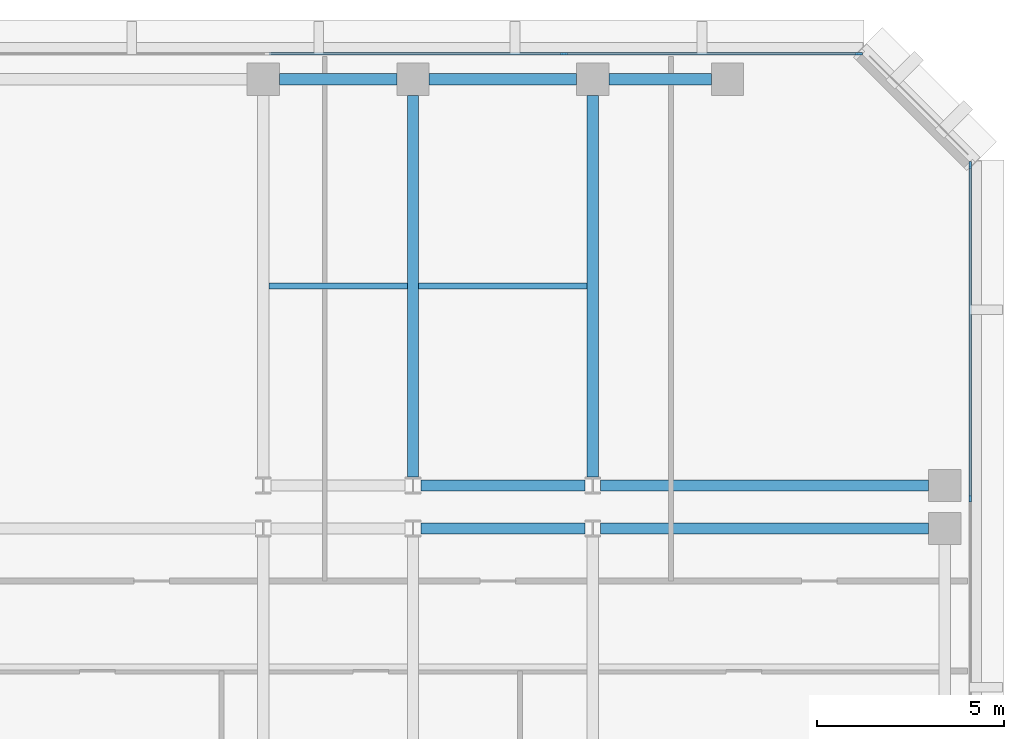
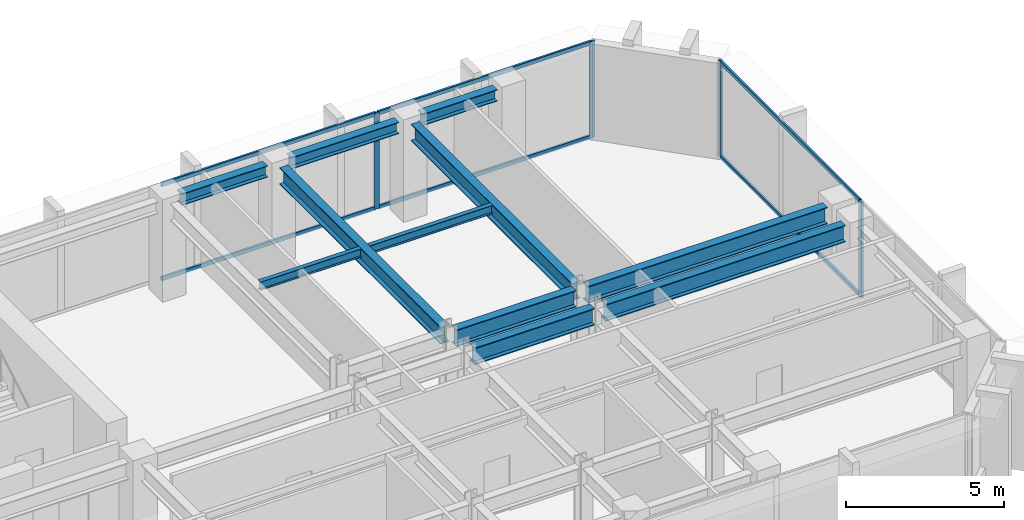
# One storey, part 5 of 12: 11 beams, 10 members, 2 elements without a shape of their own.
"""IFC4 building model written with IfcOpenShell, lengths in metres."""

from ifc_helpers import new_model, si_unit, direction, frame, origin, origin_2d, place, context, subcontext, project, spatial, rectangle, i_section, extrude, material, layer, layer_set, material_profile, profile_set, type_object, element, aggregate, save


model = new_model("IFC4")

# Units and contexts
model_context = context("Model", 3, precision=1e-05, world=origin(), true_north=direction((0.0, 1.0)))
body_context = subcontext(model_context, "Body", "Model", "MODEL_VIEW")
ifc_project = project(units=[si_unit("LENGTHUNIT", "METRE"), si_unit("AREAUNIT", "SQUARE_METRE"), si_unit("VOLUMEUNIT", "CUBIC_METRE"), si_unit("PLANEANGLEUNIT", "RADIAN"), si_unit("MASSUNIT", "GRAM", prefix="KILO")], contexts=[model_context])

# Site, building, storey
site_placement = place(None, origin())
site = spatial("IfcSite", under=ifc_project, at=site_placement, CompositionType="ELEMENT")
building_placement = place(site_placement, origin())
building = spatial("IfcBuilding", under=site, at=building_placement, Name="Kefirva Bronze Tower", CompositionType="ELEMENT")
storey_placement = place(building_placement, frame((0.0, 0.0, 126.389892578125)))
storey = spatial("IfcBuildingStorey", under=building, at=storey_placement, Name="L30", CompositionType="ELEMENT", Elevation=126.389892578125)

# Curtain wall, members
ifc_material_1 = material(Name="Bronze anodised aluminium", Category="aluminium")
ifc_layer = layer(ifc_material_1, 0.199951171875, Name="Bronze anodised aluminium")
ifc_layer_set = layer_set([ifc_layer], Name="Bronze anodised aluminium")
curtain_wall_type = type_object("IfcCurtainWallType", Name="Unitised Bronze Ribbon Curtain Wall Zone 2", PredefinedType="USERDEFINED", material=ifc_layer_set)
curtain_wall_1_placement = place(storey_placement, origin())
curtain_wall_1 = element("IfcCurtainWall", 1, at=curtain_wall_1_placement, inside=storey, type_object=curtain_wall_type, Name="L30 Curtain Wall 4", ObjectType="UNITISED CURTAIN WALL", PredefinedType="USERDEFINED")
ifc_material_profile_1 = material_profile(ifc_material_1, rectangle(XDim=0.074951171875, YDim=0.179931640625, at=origin_2d()), Name="ALU 75x180")
ifc_profile_set_1 = profile_set([ifc_material_profile_1], Name="Bronze anodised aluminium")
member_type_1 = type_object("IfcMemberType", Name="Bronze Mullion 75x180", PredefinedType="MULLION", material=ifc_profile_set_1)
member_1_placement = place(storey_placement, frame((50.080078125, 34.0, 0.0), z_axis=(0.0, 0.0, 1.0), x_axis=(-1.0, 0.0, 0.0)))
member_1 = element("IfcMember", 2, at=member_1_placement, type_object=member_type_1, Name="CW-02 mullion 2", PredefinedType="MULLION", context=body_context, shape_type="SweptSolid", body=[
    extrude(rectangle(XDim=0.074951171875, YDim=0.179931640625, at=origin_2d()), origin(), (0.0, 0.0, 1.0), 3.710205078125),
])
member_2_placement = place(storey_placement, frame((50.080078125, 42.907470703125, 0.0), z_axis=(0.0, 0.0, 1.0), x_axis=(-1.0, 0.0, 0.0)))
member_2 = element("IfcMember", 3, at=member_2_placement, type_object=member_type_1, Name="CW-02 mullion 3", PredefinedType="MULLION", context=body_context, shape_type="SweptSolid", body=[
    extrude(rectangle(XDim=0.074951171875, YDim=0.179931640625, at=origin_2d()), origin(), (0.0, 0.0, 1.0), 3.710205078125),
])

curtain_wall_2_placement = place(storey_placement, origin())
curtain_wall_2 = element("IfcCurtainWall", 4, at=curtain_wall_2_placement, inside=storey, type_object=curtain_wall_type, Name="L30 Curtain Wall 5", ObjectType="UNITISED CURTAIN WALL", PredefinedType="USERDEFINED")
member_3_placement = place(storey_placement, frame((47.107421875, 45.8798828125, 0.0), z_axis=(0.0, 0.0, 1.0), x_axis=(0.0, -1.0, 0.0)))
member_3 = element("IfcMember", 5, at=member_3_placement, type_object=member_type_1, Name="CW-02 mullion 1", PredefinedType="MULLION", context=body_context, shape_type="SweptSolid", body=[
    extrude(rectangle(XDim=0.074951171875, YDim=0.179931640625, at=origin_2d()), origin(), (0.0, 0.0, 1.0), 3.710205078125),
])
member_4_placement = place(storey_placement, frame((39.231689453125, 45.8798828125, 0.0), z_axis=(0.0, 0.0, 1.0), x_axis=(0.0, -1.0, 0.0)))
member_4 = element("IfcMember", 6, at=member_4_placement, type_object=member_type_1, Name="CW-02 mullion 2", PredefinedType="MULLION", context=body_context, shape_type="SweptSolid", body=[
    extrude(rectangle(XDim=0.074951171875, YDim=0.179931640625, at=origin_2d()), origin(), (0.0, 0.0, 1.0), 3.710205078125),
])

# Member
ifc_material_profile_2 = material_profile(ifc_material_1, rectangle(XDim=0.074951171875, YDim=0.14990234375, at=origin_2d()), Name="ALU 75x150")
ifc_profile_set_2 = profile_set([ifc_material_profile_2], Name="Bronze anodised aluminium")
member_type_2 = type_object("IfcMemberType", Name="Bronze Transom 75x150", PredefinedType="USERDEFINED", material=ifc_profile_set_2)
member_5_placement = place(storey_placement, frame((50.080078125, 34.03759765625, 0.03759765625), z_axis=(0.0, 1.0, 0.0), x_axis=(-1.0, 0.0, 0.0)))
member_5 = element("IfcMember", 7, at=member_5_placement, type_object=member_type_2, Name="CW-02 transom 2.1", ObjectType="TRANSOM", PredefinedType="USERDEFINED", context=body_context, shape_type="SweptSolid", body=[
    extrude(rectangle(XDim=0.074951171875, YDim=0.14990234375, at=origin_2d()), origin(), (0.0, 0.0, 1.0), 8.83251953125),
])

member_6_placement = place(storey_placement, frame((50.080078125, 34.03759765625, 3.672607421875), z_axis=(0.0, 1.0, 0.0), x_axis=(-1.0, 0.0, 0.0)))
member_6 = element("IfcMember", 8, at=member_6_placement, type_object=member_type_2, Name="CW-02 transom 2.2", ObjectType="TRANSOM", PredefinedType="USERDEFINED", context=body_context, shape_type="SweptSolid", body=[
    extrude(rectangle(XDim=0.074951171875, YDim=0.14990234375, at=origin_2d()), origin(), (0.0, 0.0, 1.0), 8.83251953125),
])

aggregate(curtain_wall_1, [member_1, member_2, member_5, member_6])

member_7_placement = place(storey_placement, frame((47.070068359375, 45.8798828125, 0.03759765625), z_axis=(-1.0, 0.0, 0.0), x_axis=(0.0, -1.0, 0.0)))
member_7 = element("IfcMember", 9, at=member_7_placement, type_object=member_type_2, Name="CW-02 transom 1.1", ObjectType="TRANSOM", PredefinedType="USERDEFINED", context=body_context, shape_type="SweptSolid", body=[
    extrude(rectangle(XDim=0.074951171875, YDim=0.14990234375, at=origin_2d()), origin(), (0.0, 0.0, 1.0), 7.80078125),
])

member_8_placement = place(storey_placement, frame((47.070068359375, 45.8798828125, 3.672607421875), z_axis=(-1.0, 0.0, 0.0), x_axis=(0.0, -1.0, 0.0)))
member_8 = element("IfcMember", 10, at=member_8_placement, type_object=member_type_2, Name="CW-02 transom 1.2", ObjectType="TRANSOM", PredefinedType="USERDEFINED", context=body_context, shape_type="SweptSolid", body=[
    extrude(rectangle(XDim=0.074951171875, YDim=0.14990234375, at=origin_2d()), origin(), (0.0, 0.0, 1.0), 7.80078125),
])

member_9_placement = place(storey_placement, frame((39.194091796875, 45.8798828125, 0.03759765625), z_axis=(-1.0, 0.0, 0.0), x_axis=(0.0, -1.0, 0.0)))
member_9 = element("IfcMember", 11, at=member_9_placement, type_object=member_type_2, Name="CW-02 transom 2.1", ObjectType="TRANSOM", PredefinedType="USERDEFINED", context=body_context, shape_type="SweptSolid", body=[
    extrude(rectangle(XDim=0.074951171875, YDim=0.14990234375, at=origin_2d()), origin(), (0.0, 0.0, 1.0), 7.83837890625),
])

member_10_placement = place(storey_placement, frame((39.194091796875, 45.8798828125, 3.672607421875), z_axis=(-1.0, 0.0, 0.0), x_axis=(0.0, -1.0, 0.0)))
member_10 = element("IfcMember", 12, at=member_10_placement, type_object=member_type_2, Name="CW-02 transom 2.2", ObjectType="TRANSOM", PredefinedType="USERDEFINED", context=body_context, shape_type="SweptSolid", body=[
    extrude(rectangle(XDim=0.074951171875, YDim=0.14990234375, at=origin_2d()), origin(), (0.0, 0.0, 1.0), 7.83837890625),
])

aggregate(curtain_wall_2, [member_3, member_4, member_7, member_8, member_9, member_10])

# Beams
ifc_material_2 = material(Name="Steel S355", Category="steel")
ifc_material_profile_3 = material_profile(ifc_material_2, i_section(OverallWidth=0.159912109375, OverallDepth=0.330078125, WebThickness=0.007568359375, FlangeThickness=0.011474609375, at=origin_2d()), Name="IPE 330")
ifc_profile_set_3 = profile_set([ifc_material_profile_3], Name="Steel S355")
beam_type_1 = type_object("IfcBeamType", Name="Steel Floor Joist IPE 330", PredefinedType="JOIST", material=ifc_profile_set_3)
beam_1_placement = place(storey_placement, frame((31.35009765625, 39.673583984375, 3.545166015625), z_axis=(1.0, 0.0, 0.0), x_axis=(0.0, 1.0, 0.0)))
element("IfcBeam", 13, at=beam_1_placement, inside=storey, type_object=beam_type_1, Name="L30 JST-L30-31-396", PredefinedType="JOIST", context=body_context, shape_type="SweptSolid", body=[
    extrude(i_section(OverallWidth=0.159912109375, OverallDepth=0.330078125, WebThickness=0.007568359375, FlangeThickness=0.011474609375, at=origin_2d()), origin(), (0.0, 0.0, 1.0), 3.699951171875),
])
beam_2_placement = place(storey_placement, frame((35.35009765625, 39.673583984375, 3.545166015625), z_axis=(1.0, 0.0, 0.0), x_axis=(0.0, 1.0, 0.0)))
element("IfcBeam", 14, at=beam_2_placement, inside=storey, type_object=beam_type_1, Name="L30 JST-L30-35-396", PredefinedType="JOIST", context=body_context, shape_type="SweptSolid", body=[
    extrude(i_section(OverallWidth=0.159912109375, OverallDepth=0.330078125, WebThickness=0.007568359375, FlangeThickness=0.011474609375, at=origin_2d()), origin(), (0.0, 0.0, 1.0), 4.5),
])
ifc_material_profile_4 = material_profile(ifc_material_2, i_section(OverallWidth=0.300048828125, OverallDepth=0.64990234375, WebThickness=0.01611328125, FlangeThickness=0.031005859375, at=origin_2d()), Name="HEB 650")
ifc_profile_set_4 = profile_set([ifc_material_profile_4], Name="Steel S355")
beam_type_2 = type_object("IfcBeamType", Name="Steel Girder HEB 650", PredefinedType="USERDEFINED", material=ifc_profile_set_4)
beam_3_placement = place(storey_placement, frame((35.408935546875, 33.199951171875, 3.385009765625), z_axis=(1.0, 0.0, 0.0), x_axis=(0.0, 1.0, 0.0)))
element("IfcBeam", 15, at=beam_3_placement, inside=storey, type_object=beam_type_2, Name="L30 BM-L30-EW-35-332", ObjectType="GIRDER", PredefinedType="USERDEFINED", context=body_context, shape_type="SweptSolid", body=[
    extrude(i_section(OverallWidth=0.300048828125, OverallDepth=0.64990234375, WebThickness=0.01611328125, FlangeThickness=0.031005859375, at=origin_2d()), origin(), (0.0, 0.0, 1.0), 4.382080078125),
])
beam_4_placement = place(storey_placement, frame((40.208984375, 33.199951171875, 3.385009765625), z_axis=(1.0, 0.0, 0.0), x_axis=(0.0, 1.0, 0.0)))
element("IfcBeam", 16, at=beam_4_placement, inside=storey, type_object=beam_type_2, Name="L30 BM-L30-EW-40-332", ObjectType="GIRDER", PredefinedType="USERDEFINED", context=body_context, shape_type="SweptSolid", body=[
    extrude(i_section(OverallWidth=0.300048828125, OverallDepth=0.64990234375, WebThickness=0.01611328125, FlangeThickness=0.031005859375, at=origin_2d()), origin(), (0.0, 0.0, 1.0), 8.760986328125),
])
beam_5_placement = place(storey_placement, frame((35.408935546875, 34.35009765625, 3.385009765625), z_axis=(1.0, 0.0, 0.0), x_axis=(0.0, 1.0, 0.0)))
element("IfcBeam", 17, at=beam_5_placement, inside=storey, type_object=beam_type_2, Name="L30 BM-L30-EW-35-344", ObjectType="GIRDER", PredefinedType="USERDEFINED", context=body_context, shape_type="SweptSolid", body=[
    extrude(i_section(OverallWidth=0.300048828125, OverallDepth=0.64990234375, WebThickness=0.01611328125, FlangeThickness=0.031005859375, at=origin_2d()), origin(), (0.0, 0.0, 1.0), 4.382080078125),
])
beam_6_placement = place(storey_placement, frame((40.208984375, 34.35009765625, 3.385009765625), z_axis=(1.0, 0.0, 0.0), x_axis=(0.0, 1.0, 0.0)))
element("IfcBeam", 18, at=beam_6_placement, inside=storey, type_object=beam_type_2, Name="L30 BM-L30-EW-40-344", ObjectType="GIRDER", PredefinedType="USERDEFINED", context=body_context, shape_type="SweptSolid", body=[
    extrude(i_section(OverallWidth=0.300048828125, OverallDepth=0.64990234375, WebThickness=0.01611328125, FlangeThickness=0.031005859375, at=origin_2d()), origin(), (0.0, 0.0, 1.0), 8.760986328125),
])
for number, where, z_axis, x_axis, name in (
    (19, (35.199951171875, 34.577392578125, 3.385009765625), (0.0, 1.0, 0.0), (-1.0, 0.0, 0.0), "L30 BM-L30-NS-352-34"),
    (20, (40.0, 34.577392578125, 3.385009765625), (0.0, 1.0, 0.0), (-1.0, 0.0, 0.0), "L30 BM-L30-NS-400-34"),
):
    element("IfcBeam", number, at=place(storey_placement, frame(where, z_axis=z_axis, x_axis=x_axis)), inside=storey, type_object=beam_type_2, Name=name, ObjectType="GIRDER", PredefinedType="USERDEFINED", context=body_context, shape_type="SweptSolid", body=[
        extrude(i_section(OverallWidth=0.300048828125, OverallDepth=0.64990234375, WebThickness=0.01611328125, FlangeThickness=0.031005859375, at=origin_2d()), origin(), (0.0, 0.0, 1.0), 10.192626953125),
    ])
ifc_material_profile_5 = material_profile(ifc_material_2, i_section(OverallWidth=0.300048828125, OverallDepth=0.449951171875, WebThickness=0.013916015625, FlangeThickness=0.02587890625, at=origin_2d()), Name="HEB 450")
ifc_profile_set_5 = profile_set([ifc_material_profile_5], Name="Steel S355")
beam_type_3 = type_object("IfcBeamType", Name="Steel Spandrel HEB 450 Ext", PredefinedType="SPANDREL", material=ifc_profile_set_5)
beam_7_placement = place(storey_placement, frame((31.6298828125, 45.199951171875, 3.485107421875), z_axis=(1.0, 0.0, 0.0), x_axis=(0.0, 1.0, 0.0)))
element("IfcBeam", 21, at=beam_7_placement, inside=storey, type_object=beam_type_3, Name="L30 BM-L30-EW-31-452", PredefinedType="SPANDREL", context=body_context, shape_type="SweptSolid", body=[
    extrude(i_section(OverallWidth=0.300048828125, OverallDepth=0.449951171875, WebThickness=0.013916015625, FlangeThickness=0.02587890625, at=origin_2d()), origin(), (0.0, 0.0, 1.0), 3.14013671875),
])
beam_8_placement = place(storey_placement, frame((35.6298828125, 45.199951171875, 3.485107421875), z_axis=(1.0, 0.0, 0.0), x_axis=(0.0, 1.0, 0.0)))
element("IfcBeam", 22, at=beam_8_placement, inside=storey, type_object=beam_type_3, Name="L30 BM-L30-EW-35-452", PredefinedType="SPANDREL", context=body_context, shape_type="SweptSolid", body=[
    extrude(i_section(OverallWidth=0.300048828125, OverallDepth=0.449951171875, WebThickness=0.013916015625, FlangeThickness=0.02587890625, at=origin_2d()), origin(), (0.0, 0.0, 1.0), 3.940185546875),
])
beam_9_placement = place(storey_placement, frame((40.429931640625, 45.199951171875, 3.485107421875), z_axis=(1.0, 0.0, 0.0), x_axis=(0.0, 1.0, 0.0)))
element("IfcBeam", 23, at=beam_9_placement, inside=storey, type_object=beam_type_3, Name="L30 BM-L30-EW-40-452", PredefinedType="SPANDREL", context=body_context, shape_type="SweptSolid", body=[
    extrude(i_section(OverallWidth=0.300048828125, OverallDepth=0.449951171875, WebThickness=0.013916015625, FlangeThickness=0.02587890625, at=origin_2d()), origin(), (0.0, 0.0, 1.0), 2.739990234375),
])

save(model, "model.ifc")
